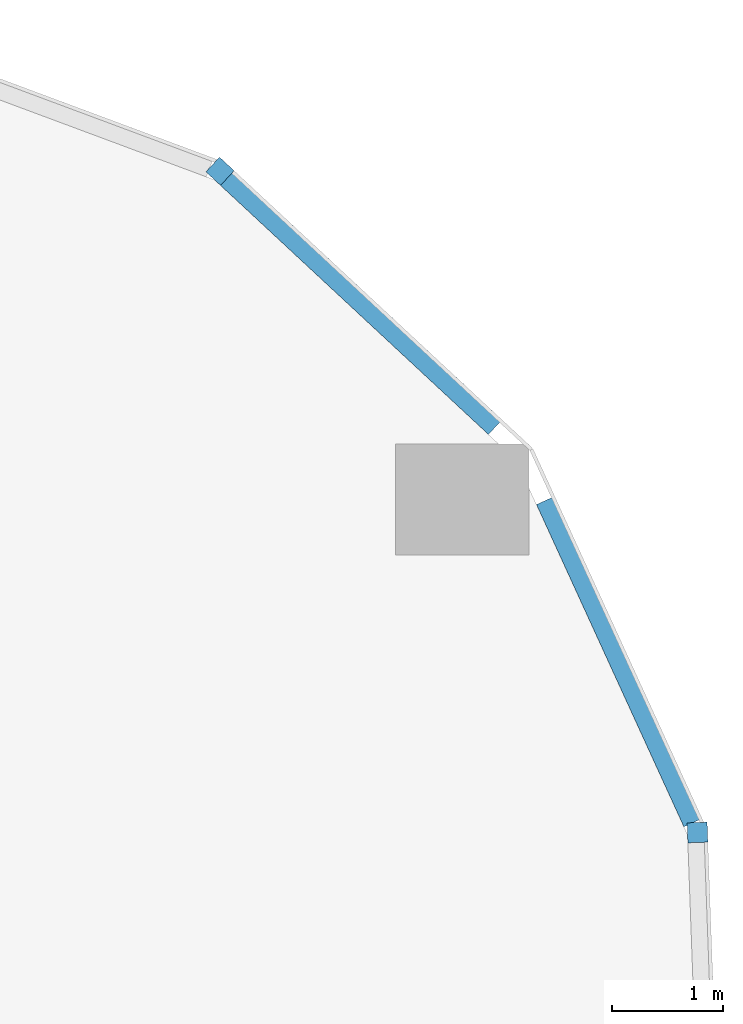
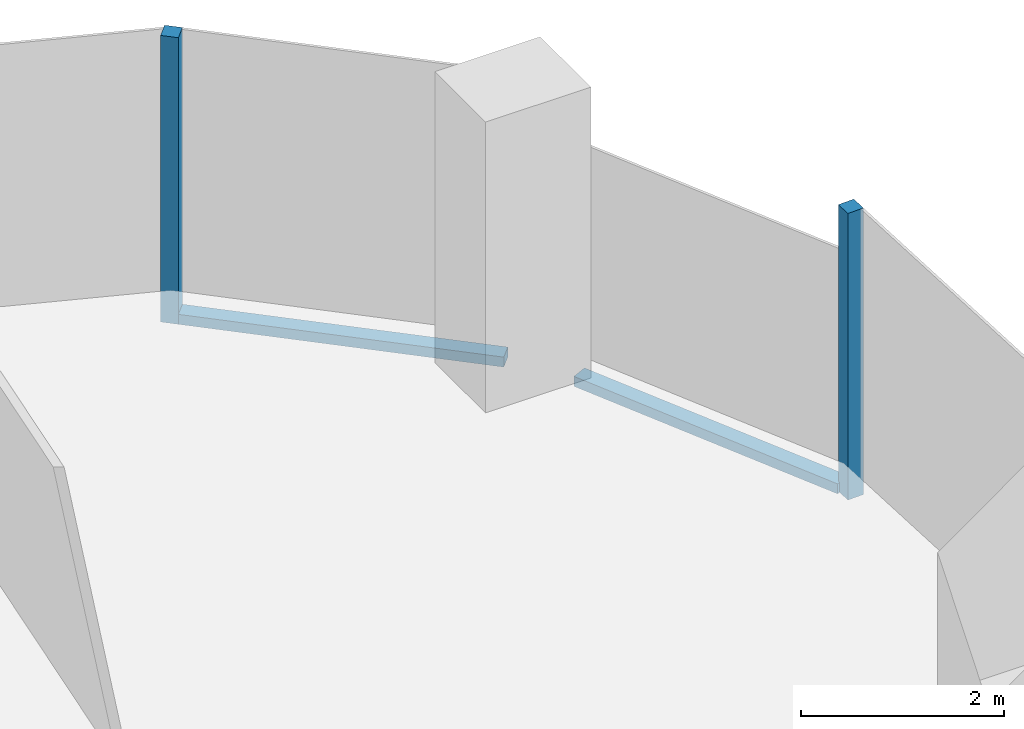
# One storey, part 15 of 34: 4 members, 3 elements without a shape of their own.
"""IFC4 building model written with IfcOpenShell, lengths in metres."""

from ifc_helpers import new_model, si_unit, direction, frame, origin, origin_2d, place, context, subcontext, project, spatial, rectangle, extrude, material, material_profile, profile_set, type_object, element, aggregate, save


model = new_model("IFC4")

# Units and contexts
model_context = context("Model", 3, precision=1e-05, world=origin(), true_north=direction((0.0, 1.0)))
body_context = subcontext(model_context, "Body", "Model", "MODEL_VIEW")
ifc_project = project(units=[si_unit("LENGTHUNIT", "METRE"), si_unit("AREAUNIT", "SQUARE_METRE"), si_unit("VOLUMEUNIT", "CUBIC_METRE"), si_unit("PLANEANGLEUNIT", "RADIAN"), si_unit("MASSUNIT", "GRAM", prefix="KILO")], contexts=[model_context])

# Site, building, storey
site_placement = place(None, origin())
site = spatial("IfcSite", under=ifc_project, at=site_placement, CompositionType="ELEMENT")
building_placement = place(site_placement, origin())
building = spatial("IfcBuilding", under=site, at=building_placement, Name="Orlundy Tower", CompositionType="ELEMENT")
storey_placement = place(building_placement, frame((0.0, 0.0, 137.699951171875)))
storey = spatial("IfcBuildingStorey", under=building, at=storey_placement, Name="L35", CompositionType="ELEMENT", Elevation=137.699951171875)

# Curtain wall, member
ifc_material_1 = material(Name="Aluminium bronze anodised", Category="aluminium")
curtain_wall_type = type_object("IfcCurtainWallType", Name="CW1 wall", PredefinedType="NOTDEFINED", material=ifc_material_1)
curtain_wall_1_placement = place(storey_placement, origin())
curtain_wall_1 = element("IfcCurtainWall", 1, at=curtain_wall_1_placement, inside=storey, type_object=curtain_wall_type, Name="CW1 run 08", PredefinedType="NOTDEFINED")
ifc_material_2 = material(Name="Aluminium bronze anodised", Category="aluminium")
ifc_material_profile_1 = material_profile(ifc_material_2, rectangle(XDim=0.179931640625, YDim=0.179931640625, at=origin_2d()), Name="CW1 corner post 180x180")
ifc_profile_set_1 = profile_set([ifc_material_profile_1], Name="Aluminium bronze anodised")
member_type_1 = type_object("IfcMemberType", Name="CW1 corner post 180x180", PredefinedType="MULLION", material=ifc_profile_set_1)
member_1_placement = place(storey_placement, frame((56.069091796875, 10.564208984375, -0.39990234375), z_axis=(0.0, 0.0, 1.0), x_axis=(0.680875211262, 0.732399444763, 0.0)))
member_1 = element("IfcMember", 2, at=member_1_placement, type_object=member_type_1, Name="CW1 mullion 33", PredefinedType="MULLION", context=body_context, shape_type="SweptSolid", body=[
    extrude(rectangle(XDim=0.179931640625, YDim=0.179931640625, at=origin_2d()), origin(), (0.0, 0.0, 1.0), 3.449951171875),
])

curtain_wall_2_placement = place(storey_placement, origin())
curtain_wall_2 = element("IfcCurtainWall", 3, at=curtain_wall_2_placement, inside=storey, type_object=curtain_wall_type, Name="CW1 run 010", PredefinedType="NOTDEFINED")
member_2_placement = place(storey_placement, frame((60.3671875, 4.612060546875, -0.39990234375), z_axis=(0.0, 0.0, 1.0), x_axis=(0.999336466026, 0.036422900353, 0.0)))
member_2 = element("IfcMember", 4, at=member_2_placement, type_object=member_type_1, Name="CW1 mullion 35", PredefinedType="MULLION", context=body_context, shape_type="SweptSolid", body=[
    extrude(rectangle(XDim=0.179931640625, YDim=0.179931640625, at=origin_2d()), origin(), (0.0, 0.0, 1.0), 3.449951171875),
])
aggregate(curtain_wall_2, [member_2])

# Member
ifc_material_3 = material(Name="Aluminium bronze anodised", Category="aluminium")
ifc_material_profile_2 = material_profile(ifc_material_3, rectangle(XDim=0.179931640625, YDim=0.1201171875, at=origin_2d()), Name="CW1 transom 180x120")
ifc_profile_set_2 = profile_set([ifc_material_profile_2], Name="Aluminium bronze anodised")
member_type_2 = type_object("IfcMemberType", Name="CW1 transom 180x120", PredefinedType="USERDEFINED", material=ifc_profile_set_2)
member_3_placement = place(storey_placement, frame((56.135009765625, 10.5029296875, -0.33984375), z_axis=(0.732402536134, -0.680871885941, 0.0), x_axis=(0.680871885941, 0.732402536134, 0.0)))
member_3 = element("IfcMember", 5, at=member_3_placement, type_object=member_type_2, Name="CW1 transom", ObjectType="TRANSOM", PredefinedType="USERDEFINED", context=body_context, shape_type="SweptSolid", body=[
    extrude(rectangle(XDim=0.179931640625, YDim=0.1201171875, at=origin_2d()), origin(), (0.0, 0.0, 1.0), 3.292724609375),
])

aggregate(curtain_wall_1, [member_1, member_3])

# Curtain wall, member
curtain_wall_3_placement = place(storey_placement, origin())
curtain_wall_3 = element("IfcCurtainWall", 6, at=curtain_wall_3_placement, inside=storey, type_object=curtain_wall_type, Name="CW1 run 09", PredefinedType="NOTDEFINED")
member_4_placement = place(storey_placement, frame((59.0, 7.601318359375, -0.33984375), z_axis=(0.415929789139, -0.909396728885, 0.0), x_axis=(0.909396728885, 0.415929789139, 0.0)))
member_4 = element("IfcMember", 7, at=member_4_placement, type_object=member_type_2, Name="CW1 transom", ObjectType="TRANSOM", PredefinedType="USERDEFINED", context=body_context, shape_type="SweptSolid", body=[
    extrude(rectangle(XDim=0.179931640625, YDim=0.1201171875, at=origin_2d()), origin(), (0.0, 0.0, 1.0), 3.189697265625),
])
aggregate(curtain_wall_3, [member_4])

save(model, "model.ifc")
